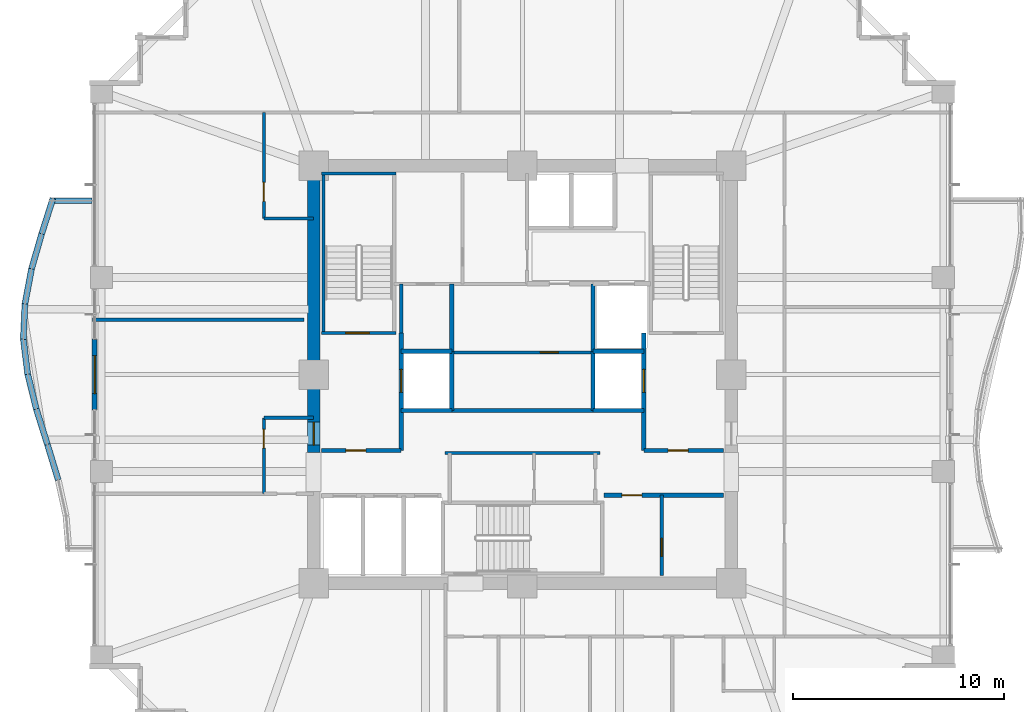
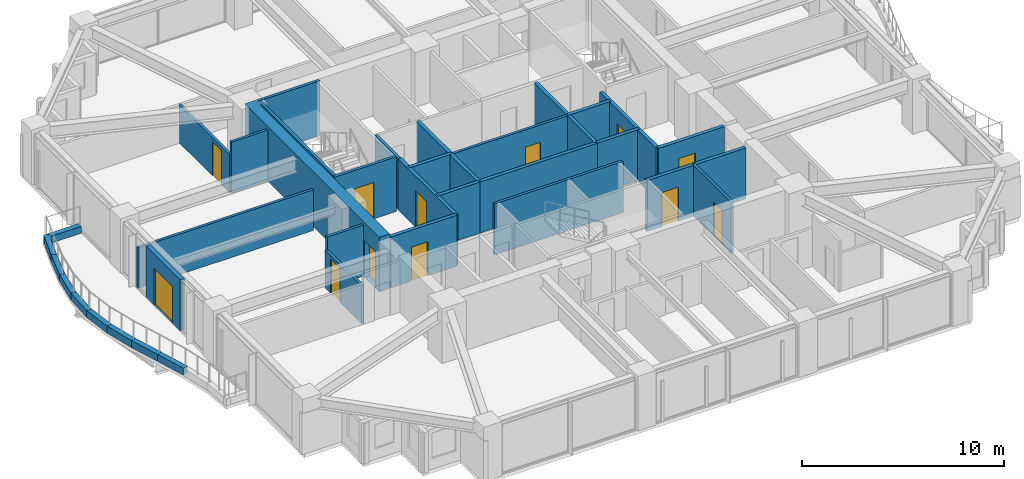
# One storey, part 31 of 36: 37 walls, 12 doors, 12 openings.
"""IFC4 building model written with IfcOpenShell, lengths in metres."""

from ifc_helpers import new_model, si_unit, direction, frame, frame_2d, origin, place, context, subcontext, project, spatial, rectangle, extrude, material, layer, layer_set, type_object, element, fill, save


model = new_model("IFC4")

# Units and contexts
model_context = context("Model", 3, precision=1e-05, world=origin(), true_north=direction((0.0, 1.0)))
body_context = subcontext(model_context, "Body", "Model", "MODEL_VIEW")
ifc_project = project(units=[si_unit("LENGTHUNIT", "METRE"), si_unit("AREAUNIT", "SQUARE_METRE"), si_unit("VOLUMEUNIT", "CUBIC_METRE"), si_unit("PLANEANGLEUNIT", "RADIAN"), si_unit("MASSUNIT", "GRAM", prefix="KILO")], contexts=[model_context])

# Site, building, storey
site_placement = place(None, origin())
site = spatial("IfcSite", under=ifc_project, at=site_placement, CompositionType="ELEMENT")
building_placement = place(site_placement, origin())
building = spatial("IfcBuilding", under=site, at=building_placement, Name="Kolvaren Belvedere", CompositionType="ELEMENT")
storey_placement = place(building_placement, frame((0.0, 0.0, 92.0)))
storey = spatial("IfcBuildingStorey", under=building, at=storey_placement, Name="L26", CompositionType="ELEMENT", Elevation=92.0)

# Wall, opening, door
ifc_material_1 = material(Name="Concrete C60/75", Category="concrete")
ifc_layer_1 = layer(ifc_material_1, 0.60009765625)
ifc_layer_set_1 = layer_set([ifc_layer_1], Name="Concrete C60/75")
wall_type_1 = type_object("IfcWallType", Name="CW-CORE-600", PredefinedType="SHEAR", material=ifc_layer_set_1)
wall_1_placement = place(storey_placement, frame((-9.89990234375, -3.699951171875, 0.0), z_axis=(0.0, 0.0, 1.0), x_axis=(0.0, 1.0, 0.0)))
wall_1 = element("IfcWall", 1, at=wall_1_placement, inside=storey, type_object=wall_type_1, Name="L26 West Core Shear Wall 2", PredefinedType="SHEAR", context=body_context, shape_type="SweptSolid", body=[
    extrude(rectangle(XDim=13.300048828125, YDim=0.60009765625, at=frame_2d((6.64990234375, 0.0))), origin(), (0.0, 0.0, 1.0), 3.300048828125),
])
opening_1_placement = place(wall_1_placement, frame((0.35009765625, 0.0, 0.0)))
opening_1 = element("IfcOpeningElement", 2, at=opening_1_placement, cuts=wall_1, Name="Opening D-FD90", PredefinedType="OPENING", context=body_context, shape_type="SweptSolid", body=[
    extrude(rectangle(XDim=1.10009765625, YDim=2.199951171875, at=frame_2d((0.550048828125, 1.10009765625))), frame((0.0, 0.31005859375, 0.0), z_axis=(0.0, -1.0, 0.0), x_axis=(1.0, 0.0, 0.0)), (0.0, 0.0, 1.0), 0.6201171875),
])
ifc_material_2 = material(Name="Painted hollow stainless steel", Category="steel")
door_type_1 = type_object("IfcDoorType", Name="DR-FD90-1100", OperationType="NOTDEFINED", PredefinedType="DOOR", material=ifc_material_2)
door_1_placement = place(opening_1_placement, origin())
door_1 = element("IfcDoor", 3, at=door_1_placement, inside=storey, type_object=door_type_1, Name="L26 West Firefighting Lobby Fire Door", OperationType="SINGLE_SWING_LEFT", OverallHeight=2.199951171875, OverallWidth=1.10009765625, PredefinedType="DOOR", context=body_context, shape_type="SweptSolid", body=[
    extrude(rectangle(XDim=1.10009765625, YDim=2.199951171875, at=frame_2d((0.550048828125, 1.10009765625))), frame((0.0, 0.02490234375, 0.0), z_axis=(0.0, -1.0, 0.0), x_axis=(1.0, 0.0, 0.0)), (0.0, 0.0, 1.0), 0.050048828125),
])
fill(opening_1, door_1)

ifc_material_3 = material(Name="Concrete C50/60", Category="concrete")
ifc_layer_2 = layer(ifc_material_3, 0.159912109375)
ifc_layer_set_2 = layer_set([ifc_layer_2], Name="Concrete C50/60")
wall_type_2 = type_object("IfcWallType", Name="CW-STAIR-160", PredefinedType="SHEAR", material=ifc_layer_set_2)
wall_2_placement = place(storey_placement, frame((-9.52001953125, 1.969970703125, 0.0), z_axis=(0.0, 0.0, 1.0), x_axis=(1.0, 0.0, 0.0)))
wall_2 = element("IfcWall", 4, at=wall_2_placement, inside=storey, type_object=wall_type_2, Name="L26 Stair ST-1 South Shear Wall", PredefinedType="SHEAR", context=body_context, shape_type="SweptSolid", body=[
    extrude(rectangle(XDim=3.52001953125, YDim=0.159912109375, at=frame_2d((1.760009765625, 0.0))), origin(), (0.0, 0.0, 1.0), 3.300048828125),
])
opening_2_placement = place(wall_2_placement, frame((1.14990234375, 0.0, 0.0)))
opening_2 = element("IfcOpeningElement", 5, at=opening_2_placement, cuts=wall_2, Name="Opening D-FD90", PredefinedType="OPENING", context=body_context, shape_type="SweptSolid", body=[
    extrude(rectangle(XDim=1.10009765625, YDim=2.199951171875, at=frame_2d((0.550048828125, 1.10009765625))), frame((0.0, 0.08984375, 0.0), z_axis=(0.0, -1.0, 0.0), x_axis=(1.0, 0.0, 0.0)), (0.0, 0.0, 1.0), 0.179931640625),
])
door_2_placement = place(opening_2_placement, origin())
door_2 = element("IfcDoor", 6, at=door_2_placement, inside=storey, type_object=door_type_1, Name="L26 Stair ST-1 Fire Door", OperationType="SINGLE_SWING_LEFT", OverallHeight=2.199951171875, OverallWidth=1.10009765625, PredefinedType="DOOR", context=body_context, shape_type="SweptSolid", body=[
    extrude(rectangle(XDim=1.10009765625, YDim=2.199951171875, at=frame_2d((0.550048828125, 1.10009765625))), frame((0.0, 0.02490234375, 0.0), z_axis=(0.0, -1.0, 0.0), x_axis=(1.0, 0.0, 0.0)), (0.0, 0.0, 1.0), 0.050048828125),
])
fill(opening_2, door_2)

# Walls
wall_3_placement = place(storey_placement, frame((-9.52001953125, 9.530029296875, 0.0), z_axis=(0.0, 0.0, 1.0), x_axis=(1.0, 0.0, 0.0)))
element("IfcWall", 7, at=wall_3_placement, inside=storey, type_object=wall_type_2, Name="L26 Stair ST-1 North Shear Wall", PredefinedType="SHEAR", context=body_context, shape_type="SweptSolid", body=[
    extrude(rectangle(XDim=3.52001953125, YDim=0.159912109375, at=frame_2d((1.760009765625, 0.0))), origin(), (0.0, 0.0, 1.0), 3.300048828125),
])
wall_4_placement = place(storey_placement, frame((-9.429931640625, 1.969970703125, 0.0), z_axis=(0.0, 0.0, 1.0), x_axis=(0.0, 1.0, 0.0)))
element("IfcWall", 8, at=wall_4_placement, inside=storey, type_object=wall_type_2, Name="L26 Stair ST-1 West Shear Wall", PredefinedType="SHEAR", context=body_context, shape_type="SweptSolid", body=[
    extrude(rectangle(XDim=7.56005859375, YDim=0.159912109375, at=frame_2d((3.780029296875, 0.0))), origin(), (0.0, 0.0, 1.0), 3.300048828125),
])

# Wall, opening, door
ifc_material_4 = material(Name="Gypsum fire-rated partition assembly", Category="gypsum")
ifc_layer_3 = layer(ifc_material_4, 0.14990234375)
ifc_layer_set_3 = layer_set([ifc_layer_3], Name="Gypsum fire-rated partition assembly")
wall_type_3 = type_object("IfcWallType", Name="WL-CORR-150", PredefinedType="PARTITIONING", material=ifc_layer_set_3)
wall_5_placement = place(storey_placement, frame((-12.260009765625, 7.39990234375, 0.0), z_axis=(0.0, 0.0, 1.0), x_axis=(0.0, 1.0, 0.0)))
wall_5 = element("IfcWall", 9, at=wall_5_placement, inside=storey, type_object=wall_type_3, Name="L26 NW Corridor End Wall", PredefinedType="PARTITIONING", context=body_context, shape_type="SweptSolid", body=[
    extrude(rectangle(XDim=5.02001953125, YDim=0.14990234375, at=frame_2d((2.510009765625, 0.0))), origin(), (0.0, 0.0, 1.0), 2.2919921875),
])
opening_3_placement = place(wall_5_placement, frame((0.81103515625, 0.0, 0.0)))
opening_3 = element("IfcOpeningElement", 10, at=opening_3_placement, cuts=wall_5, Name="Opening D-INT90", PredefinedType="OPENING", context=body_context, shape_type="SweptSolid", body=[
    extrude(rectangle(XDim=0.89990234375, YDim=2.06005859375, at=frame_2d((0.449951171875, 1.030029296875))), frame((0.0, 0.0849609375, 0.0), z_axis=(0.0, -1.0, 0.0), x_axis=(1.0, 0.0, 0.0)), (0.0, 0.0, 1.0), 0.169921875),
])
ifc_material_5 = material(Name="Stained Pacific white oak", Category="timber")
door_type_2 = type_object("IfcDoorType", Name="DR-INT-900", OperationType="NOTDEFINED", PredefinedType="DOOR", material=ifc_material_5)
door_3_placement = place(opening_3_placement, origin())
door_3 = element("IfcDoor", 11, at=door_3_placement, inside=storey, type_object=door_type_2, Name="L26 Private Hospitality Meeting Room 2605 Door", OperationType="SINGLE_SWING_RIGHT", OverallHeight=2.06005859375, OverallWidth=0.89990234375, PredefinedType="DOOR", context=body_context, shape_type="SweptSolid", body=[
    extrude(rectangle(XDim=0.89990234375, YDim=2.06005859375, at=frame_2d((0.449951171875, 1.030029296875))), frame((0.0, 0.02490234375, 0.0), z_axis=(0.0, -1.0, 0.0), x_axis=(1.0, 0.0, 0.0)), (0.0, 0.0, 1.0), 0.050048828125),
])
fill(opening_3, door_3)

# Wall
wall_6_placement = place(storey_placement, frame((-12.260009765625, 7.39990234375, 0.0), z_axis=(0.0, 0.0, 1.0), x_axis=(1.0, 0.0, 0.0)))
element("IfcWall", 12, at=wall_6_placement, inside=storey, type_object=wall_type_3, Name="L26 NW Core Closure Wall", PredefinedType="PARTITIONING", context=body_context, shape_type="SweptSolid", body=[
    extrude(rectangle(XDim=2.360107421875, YDim=0.14990234375, at=frame_2d((1.18017578125, 0.0))), origin(), (0.0, 0.0, 1.0), 3.080078125),
])

# Wall, opening, door
wall_7_placement = place(storey_placement, frame((-12.260009765625, -5.64990234375, 0.0), z_axis=(0.0, 0.0, 1.0), x_axis=(0.0, 1.0, 0.0)))
wall_7 = element("IfcWall", 13, at=wall_7_placement, inside=storey, type_object=wall_type_3, Name="L26 West FSAE Pocket Wall", PredefinedType="PARTITIONING", context=body_context, shape_type="SweptSolid", body=[
    extrude(rectangle(XDim=3.599853515625, YDim=0.14990234375, at=frame_2d((1.7998046875, 0.0))), origin(), (0.0, 0.0, 1.0), 2.2919921875),
])
opening_4_placement = place(wall_7_placement, frame((2.15625, 0.0, 0.0)))
opening_4 = element("IfcOpeningElement", 14, at=opening_4_placement, cuts=wall_7, Name="Opening D-INT90", PredefinedType="OPENING", context=body_context, shape_type="SweptSolid", body=[
    extrude(rectangle(XDim=0.89990234375, YDim=2.06005859375, at=frame_2d((0.449951171875, 1.030029296875))), frame((0.0, 0.0849609375, 0.0), z_axis=(0.0, -1.0, 0.0), x_axis=(1.0, 0.0, 0.0)), (0.0, 0.0, 1.0), 0.169921875),
])
door_4_placement = place(opening_4_placement, origin())
door_4 = element("IfcDoor", 15, at=door_4_placement, inside=storey, type_object=door_type_2, Name="L26 Botanical Reading Salon 2606 Door", OperationType="SINGLE_SWING_LEFT", OverallHeight=2.06005859375, OverallWidth=0.89990234375, PredefinedType="DOOR", context=body_context, shape_type="SweptSolid", body=[
    extrude(rectangle(XDim=0.89990234375, YDim=2.06005859375, at=frame_2d((0.449951171875, 1.030029296875))), frame((0.0, 0.02490234375, 0.0), z_axis=(0.0, -1.0, 0.0), x_axis=(1.0, 0.0, 0.0)), (0.0, 0.0, 1.0), 0.050048828125),
])
fill(opening_4, door_4)

# Wall
wall_8_placement = place(storey_placement, frame((-12.260009765625, -2.050048828125, 0.0), z_axis=(0.0, 0.0, 1.0), x_axis=(1.0, 0.0, 0.0)))
element("IfcWall", 16, at=wall_8_placement, inside=storey, type_object=wall_type_3, Name="L26 West Pocket North Closure Wall", PredefinedType="PARTITIONING", context=body_context, shape_type="SweptSolid", body=[
    extrude(rectangle(XDim=2.360107421875, YDim=0.14990234375, at=frame_2d((1.18017578125, 0.0))), origin(), (0.0, 0.0, 1.0), 3.080078125),
])

# Wall, opening, door
ifc_material_6 = material(Name="Insulated pale-metal facade wall assembly", Category="aluminium")
ifc_layer_4 = layer(ifc_material_6, 0.239990234375)
ifc_layer_set_4 = layer_set([ifc_layer_4], Name="Insulated pale-metal facade wall assembly")
wall_type_4 = type_object("IfcWallType", Name="WL-EXT-240", PredefinedType="STANDARD", material=ifc_layer_set_4)
wall_9_placement = place(storey_placement, frame((-20.280029296875, -1.679931640625, 0.0), z_axis=(0.0, 0.0, 1.0), x_axis=(0.0, 1.0, 0.0)))
wall_9 = element("IfcWall", 17, at=wall_9_placement, inside=storey, type_object=wall_type_4, Name="L26 West Terrace Portal Wall", PredefinedType="STANDARD", context=body_context, shape_type="SweptSolid", body=[
    extrude(rectangle(XDim=3.35986328125, YDim=0.239990234375, at=frame_2d((1.679931640625, 0.0))), origin(), (0.0, 0.0, 1.0), 3.080078125),
])
opening_5_placement = place(wall_9_placement, frame((0.780029296875, 0.0, 0.0)))
opening_5 = element("IfcOpeningElement", 18, at=opening_5_placement, cuts=wall_9, Name="Opening DB-1800", PredefinedType="OPENING", context=body_context, shape_type="SweptSolid", body=[
    extrude(rectangle(XDim=1.800048828125, YDim=2.199951171875, at=frame_2d((0.89990234375, 1.10009765625))), frame((0.0, 0.1298828125, 0.0), z_axis=(0.0, -1.0, 0.0), x_axis=(1.0, 0.0, 0.0)), (0.0, 0.0, 1.0), 0.260009765625),
])
ifc_material_7 = material(Name="Thermally broken pale-metal aluminium & low-iron glass", Category="aluminium")
door_type_3 = type_object("IfcDoorType", Name="DR-BAL-1800", OperationType="DOUBLE_DOOR_SLIDING", PredefinedType="DOOR", material=ifc_material_7)
door_5_placement = place(opening_5_placement, origin())
door_5 = element("IfcDoor", 19, at=door_5_placement, inside=storey, type_object=door_type_3, Name="L26 West Planted Terrace Sliding Door", OperationType="DOUBLE_DOOR_SLIDING", OverallHeight=2.199951171875, OverallWidth=1.800048828125, PredefinedType="DOOR", context=body_context, shape_type="SweptSolid", body=[
    extrude(rectangle(XDim=1.800048828125, YDim=2.199951171875, at=frame_2d((0.89990234375, 1.10009765625))), frame((0.0, 0.02490234375, 0.0), z_axis=(0.0, -1.0, 0.0), x_axis=(1.0, 0.0, 0.0)), (0.0, 0.0, 1.0), 0.050048828125),
])
fill(opening_5, door_5)

ifc_material_8 = material(Name="Gypsum acoustic partition assembly", Category="gypsum")
ifc_layer_5 = layer(ifc_material_8, 0.14990234375)
ifc_layer_set_5 = layer_set([ifc_layer_5], Name="Gypsum acoustic partition assembly")
wall_type_5 = type_object("IfcWallType", Name="WL-PART-150", PredefinedType="PARTITIONING", material=ifc_layer_set_5)
wall_10_placement = place(storey_placement, frame((6.60009765625, -9.52001953125, 0.0), z_axis=(0.0, 0.0, 1.0), x_axis=(0.0, 1.0, 0.0)))
wall_10 = element("IfcWall", 20, at=wall_10_placement, inside=storey, type_object=wall_type_5, Name="L26 SE Core Divider", PredefinedType="PARTITIONING", context=body_context, shape_type="SweptSolid", body=[
    extrude(rectangle(XDim=3.800048828125, YDim=0.14990234375, at=frame_2d((1.89990234375, 0.0))), origin(), (0.0, 0.0, 1.0), 3.080078125),
])
opening_6_placement = place(wall_10_placement, frame((0.89990234375, 0.0, 0.0)))
opening_6 = element("IfcOpeningElement", 21, at=opening_6_placement, cuts=wall_10, Name="Opening D-INT85", PredefinedType="OPENING", context=body_context, shape_type="SweptSolid", body=[
    extrude(rectangle(XDim=0.85009765625, YDim=2.030029296875, at=frame_2d((0.425048828125, 1.01513671875))), frame((0.0, 0.0849609375, 0.0), z_axis=(0.0, -1.0, 0.0), x_axis=(1.0, 0.0, 0.0)), (0.0, 0.0, 1.0), 0.169921875),
])
ifc_material_9 = material(Name="Stained Pacific white oak", Category="timber")
door_type_4 = type_object("IfcDoorType", Name="DR-INT-850", OperationType="NOTDEFINED", PredefinedType="DOOR", material=ifc_material_9)
door_6_placement = place(opening_6_placement, origin())
door_6 = element("IfcDoor", 22, at=door_6_placement, inside=storey, type_object=door_type_4, Name="L26 SE Switchboard Door", OperationType="SINGLE_SWING_LEFT", OverallHeight=2.030029296875, OverallWidth=0.85009765625, PredefinedType="DOOR", context=body_context, shape_type="SweptSolid", body=[
    extrude(rectangle(XDim=0.85009765625, YDim=2.030029296875, at=frame_2d((0.425048828125, 1.01513671875))), frame((0.0, 0.02490234375, 0.0), z_axis=(0.0, -1.0, 0.0), x_axis=(1.0, 0.0, 0.0)), (0.0, 0.0, 1.0), 0.050048828125),
])
fill(opening_6, door_6)

wall_11_placement = place(storey_placement, frame((-3.35009765625, 1.050048828125, 0.0), z_axis=(0.0, 0.0, 1.0), x_axis=(1.0, 0.0, 0.0)))
wall_11 = element("IfcWall", 23, at=wall_11_placement, inside=storey, type_object=wall_type_5, Name="L26 Central Core H-Divider", PredefinedType="PARTITIONING", context=body_context, shape_type="SweptSolid", body=[
    extrude(rectangle(XDim=6.7001953125, YDim=0.14990234375, at=frame_2d((3.35009765625, 0.0))), origin(), (0.0, 0.0, 1.0), 3.080078125),
])
opening_7_placement = place(wall_11_placement, frame((4.199951171875, 0.0, 0.0)))
opening_7 = element("IfcOpeningElement", 24, at=opening_7_placement, cuts=wall_11, Name="Opening D-INT85", PredefinedType="OPENING", context=body_context, shape_type="SweptSolid", body=[
    extrude(rectangle(XDim=0.85009765625, YDim=2.030029296875, at=frame_2d((0.425048828125, 1.01513671875))), frame((0.0, 0.0849609375, 0.0), z_axis=(0.0, -1.0, 0.0), x_axis=(1.0, 0.0, 0.0)), (0.0, 0.0, 1.0), 0.169921875),
])
door_7_placement = place(opening_7_placement, origin())
door_7 = element("IfcDoor", 25, at=door_7_placement, inside=storey, type_object=door_type_4, Name="L26 Central Archive Door", OperationType="SINGLE_SWING_LEFT", OverallHeight=2.030029296875, OverallWidth=0.85009765625, PredefinedType="DOOR", context=body_context, shape_type="SweptSolid", body=[
    extrude(rectangle(XDim=0.85009765625, YDim=2.030029296875, at=frame_2d((0.425048828125, 1.01513671875))), frame((0.0, 0.02490234375, 0.0), z_axis=(0.0, -1.0, 0.0), x_axis=(1.0, 0.0, 0.0)), (0.0, 0.0, 1.0), 0.050048828125),
])
fill(opening_7, door_7)

# Walls
wall_12_placement = place(storey_placement, frame((-3.679931640625, -3.719970703125, 0.0), z_axis=(0.0, 0.0, 1.0), x_axis=(1.0, 0.0, 0.0)))
element("IfcWall", 26, at=wall_12_placement, inside=storey, type_object=wall_type_5, Name="L26 South Core Service North Wall", PredefinedType="PARTITIONING", context=body_context, shape_type="SweptSolid", body=[
    extrude(rectangle(XDim=7.35986328125, YDim=0.14990234375, at=frame_2d((3.679931640625, 0.0))), origin(), (0.0, 0.0, 1.0), 3.080078125),
])
wall_13_placement = place(storey_placement, frame((-5.75, 1.969970703125, 0.0), z_axis=(0.0, 0.0, 1.0), x_axis=(0.0, 1.0, 0.0)))
element("IfcWall", 27, at=wall_13_placement, inside=storey, type_object=wall_type_5, Name="L26 NW Service Room West Wall", PredefinedType="PARTITIONING", context=body_context, shape_type="SweptSolid", body=[
    extrude(rectangle(XDim=2.330078125, YDim=0.14990234375, at=frame_2d((1.1650390625, 0.0))), origin(), (0.0, 0.0, 1.0), 3.080078125),
])
wall_14_placement = place(storey_placement, frame((-20.3798828125, 2.60009765625, 0.0), z_axis=(0.0, 0.0, 1.0), x_axis=(1.0, 0.0, 0.0)))
element("IfcWall", 28, at=wall_14_placement, inside=storey, type_object=wall_type_5, Name="L26 West Upper Suite Divider", PredefinedType="PARTITIONING", context=body_context, shape_type="SweptSolid", body=[
    extrude(rectangle(XDim=10.019775390625, YDim=0.14990234375, at=frame_2d((5.009765625, 0.0))), origin(), (0.0, 0.0, 1.0), 2.448974609375),
])
ifc_material_10 = material(Name="Precast concrete C40/50", Category="concrete")
ifc_layer_6 = layer(ifc_material_10, 0.300048828125)
ifc_layer_set_6 = layer_set([ifc_layer_6], Name="Precast concrete C40/50")
wall_type_6 = type_object("IfcWallType", Name="WL-PLANTER-300", PredefinedType="PARAPET", material=ifc_layer_set_6)
wall_15_placement = place(storey_placement, frame((-22.25390625, 8.351318359375, -0.0400390625), z_axis=(0.0, 0.0, 1.0), x_axis=(-0.304032153573, -0.952661770826, 0.0)))
element("IfcWall", 29, at=wall_15_placement, inside=storey, type_object=wall_type_6, Name="L26 Precast Structural Planter Wall BAL-W-1", PredefinedType="PARAPET", context=body_context, shape_type="SweptSolid", body=[
    extrude(rectangle(XDim=1.763427734375, YDim=0.280029296875, at=frame_2d((0.8818359375, 0.0))), origin(), (0.0, 0.0, 1.0), 0.419921875),
])
wall_16_placement = place(storey_placement, frame((-22.788818359375, 6.675537109375, -0.0400390625), z_axis=(0.0, 0.0, 1.0), x_axis=(-0.277817391164, -0.960633903819, 0.0)))
element("IfcWall", 30, at=wall_16_placement, inside=storey, type_object=wall_type_6, Name="L26 Precast Structural Planter Wall BAL-W-2", PredefinedType="PARAPET", context=body_context, shape_type="SweptSolid", body=[
    extrude(rectangle(XDim=1.748779296875, YDim=0.280029296875, at=frame_2d((0.87451171875, 0.0))), origin(), (0.0, 0.0, 1.0), 0.419921875),
])
wall_17_placement = place(storey_placement, frame((-23.271240234375, 5.010498046875, -0.0400390625), z_axis=(0.0, 0.0, 1.0), x_axis=(-0.184650661912, -0.982804219087, 0.0)))
element("IfcWall", 31, at=wall_17_placement, inside=storey, type_object=wall_type_6, Name="L26 Precast Structural Planter Wall BAL-W-3", PredefinedType="PARAPET", context=body_context, shape_type="SweptSolid", body=[
    extrude(rectangle(XDim=1.70947265625, YDim=0.280029296875, at=frame_2d((0.854736328125, 0.0))), origin(), (0.0, 0.0, 1.0), 0.419921875),
])
wall_18_placement = place(storey_placement, frame((-23.58447265625, 3.352783203125, -0.0400390625), z_axis=(0.0, 0.0, 1.0), x_axis=(-0.045005941428, -0.998986719249, 0.0)))
element("IfcWall", 32, at=wall_18_placement, inside=storey, type_object=wall_type_6, Name="L26 Precast Structural Planter Wall BAL-W-4", PredefinedType="PARAPET", context=body_context, shape_type="SweptSolid", body=[
    extrude(rectangle(XDim=1.681640625, YDim=0.280029296875, at=frame_2d((0.8408203125, 0.0))), origin(), (0.0, 0.0, 1.0), 0.419921875),
])
wall_19_placement = place(storey_placement, frame((-23.6611328125, 1.699462890625, -0.0400390625), z_axis=(0.0, 0.0, 1.0), x_axis=(0.121886315522, -0.99254406758, 0.0)))
element("IfcWall", 33, at=wall_19_placement, inside=storey, type_object=wall_type_6, Name="L26 Precast Structural Planter Wall BAL-W-5", PredefinedType="PARAPET", context=body_context, shape_type="SweptSolid", body=[
    extrude(rectangle(XDim=1.692626953125, YDim=0.280029296875, at=frame_2d((0.84619140625, 0.0))), origin(), (0.0, 0.0, 1.0), 0.419921875),
])
wall_20_placement = place(storey_placement, frame((-23.458251953125, 0.038330078125, -0.0400390625), z_axis=(0.0, 0.0, 1.0), x_axis=(0.239180748277, -0.970975061293, 0.0)))
element("IfcWall", 34, at=wall_20_placement, inside=storey, type_object=wall_type_6, Name="L26 Precast Structural Planter Wall BAL-W-6", PredefinedType="PARAPET", context=body_context, shape_type="SweptSolid", body=[
    extrude(rectangle(XDim=1.730224609375, YDim=0.280029296875, at=frame_2d((0.865234375, 0.0))), origin(), (0.0, 0.0, 1.0), 0.419921875),
])
wall_21_placement = place(storey_placement, frame((-23.047119140625, -1.632080078125, -0.0400390625), z_axis=(0.0, 0.0, 1.0), x_axis=(0.299624691176, -0.954057149461, 0.0)))
element("IfcWall", 35, at=wall_21_placement, inside=storey, type_object=wall_type_6, Name="L26 Precast Structural Planter Wall BAL-W-7", PredefinedType="PARAPET", context=body_context, shape_type="SweptSolid", body=[
    extrude(rectangle(XDim=1.7607421875, YDim=0.280029296875, at=frame_2d((0.88037109375, 0.0))), origin(), (0.0, 0.0, 1.0), 0.419921875),
])
wall_22_placement = place(storey_placement, frame((-22.51904296875, -3.3134765625, -0.0400390625), z_axis=(0.0, 0.0, 1.0), x_axis=(0.290879426191, -0.956759718748, 0.0)))
element("IfcWall", 36, at=wall_22_placement, inside=storey, type_object=wall_type_6, Name="L26 Precast Structural Planter Wall BAL-W-8", PredefinedType="PARAPET", context=body_context, shape_type="SweptSolid", body=[
    extrude(rectangle(XDim=1.755859375, YDim=0.280029296875, at=frame_2d((0.8779296875, 0.0))), origin(), (0.0, 0.0, 1.0), 0.419921875),
])
wall_23_placement = place(storey_placement, frame((-20.39990234375, 8.239990234375, -0.0400390625), z_axis=(0.0, 0.0, 1.0), x_axis=(-1.0, 0.0, 0.0)))
element("IfcWall", 37, at=wall_23_placement, inside=storey, type_object=wall_type_6, Name="L26 Precast Structural Planter Wall BAL-W-22", PredefinedType="PARAPET", context=body_context, shape_type="SweptSolid", body=[
    extrude(rectangle(XDim=2.00634765625, YDim=0.280029296875, at=frame_2d((1.003173828125, 0.0))), origin(), (0.0, 0.0, 1.0), 0.419921875),
])

# Wall, opening, door
ifc_material_11 = material(Name="Concrete C50/60", Category="concrete")
ifc_layer_7 = layer(ifc_material_11, 0.199951171875)
ifc_layer_set_7 = layer_set([ifc_layer_7], Name="Concrete C50/60")
wall_type_7 = type_object("IfcWallType", Name="WL-SHAFT-200", PredefinedType="SOLIDWALL", material=ifc_layer_set_7)
wall_24_placement = place(storey_placement, frame((-9.52001953125, -3.60009765625, 0.0), z_axis=(0.0, 0.0, 1.0), x_axis=(1.0, 0.0, 0.0)))
wall_24 = element("IfcWall", 38, at=wall_24_placement, inside=storey, type_object=wall_type_7, Name="L26 West FSAE Lobby South Wall", PredefinedType="SOLIDWALL", context=body_context, shape_type="SweptSolid", body=[
    extrude(rectangle(XDim=3.77001953125, YDim=0.199951171875, at=frame_2d((1.885009765625, 0.0))), origin(), (0.0, 0.0, 1.0), 3.080078125),
])
opening_8_placement = place(wall_24_placement, frame((1.14990234375, 0.0, 0.0)))
opening_8 = element("IfcOpeningElement", 39, at=opening_8_placement, cuts=wall_24, Name="Opening D-FD60", PredefinedType="OPENING", context=body_context, shape_type="SweptSolid", body=[
    extrude(rectangle(XDim=0.949951171875, YDim=2.06005859375, at=frame_2d((0.47509765625, 1.030029296875))), frame((0.0, 0.10986328125, 0.0), z_axis=(0.0, -1.0, 0.0), x_axis=(1.0, 0.0, 0.0)), (0.0, 0.0, 1.0), 0.219970703125),
])
ifc_material_12 = material(Name="Acoustic white-oak fire door leaf", Category="timber")
door_type_5 = type_object("IfcDoorType", Name="DR-FD60-950", OperationType="NOTDEFINED", PredefinedType="DOOR", material=ifc_material_12)
door_8_placement = place(opening_8_placement, origin())
door_8 = element("IfcDoor", 40, at=door_8_placement, inside=storey, type_object=door_type_5, Name="L26 Mid-Rise Lift Lobby Fire Door", OperationType="SINGLE_SWING_LEFT", OverallHeight=2.06005859375, OverallWidth=0.949951171875, PredefinedType="DOOR", context=body_context, shape_type="SweptSolid", body=[
    extrude(rectangle(XDim=0.949951171875, YDim=2.06005859375, at=frame_2d((0.47509765625, 1.030029296875))), frame((0.0, 0.02490234375, 0.0), z_axis=(0.0, -1.0, 0.0), x_axis=(1.0, 0.0, 0.0)), (0.0, 0.0, 1.0), 0.050048828125),
])
fill(opening_8, door_8)

wall_25_placement = place(storey_placement, frame((-5.75, -3.60009765625, 0.0), z_axis=(0.0, 0.0, 1.0), x_axis=(0.0, 1.0, 0.0)))
wall_25 = element("IfcWall", 41, at=wall_25_placement, inside=storey, type_object=wall_type_7, Name="L26 FSAE FS1 Landing Wall", PredefinedType="SOLIDWALL", context=body_context, shape_type="SweptSolid", body=[
    extrude(rectangle(XDim=5.570068359375, YDim=0.199951171875, at=frame_2d((2.78515625, 0.0))), origin(), (0.0, 0.0, 1.0), 3.080078125),
])
opening_9_placement = place(wall_25_placement, frame((2.75, 0.0, 0.0)))
opening_9 = element("IfcOpeningElement", 42, at=opening_9_placement, cuts=wall_25, Name="Opening LD-11", PredefinedType="OPENING", context=body_context, shape_type="SweptSolid", body=[
    extrude(rectangle(XDim=1.10009765625, YDim=2.199951171875, at=frame_2d((0.550048828125, 1.10009765625))), frame((0.0, 0.10986328125, 0.0), z_axis=(0.0, -1.0, 0.0), x_axis=(1.0, 0.0, 0.0)), (0.0, 0.0, 1.0), 0.219970703125),
])
ifc_material_13 = material(Name="Brushed stainless steel", Category="steel")
door_type_6 = type_object("IfcDoorType", Name="DR-LIFT-1100", OperationType="DOUBLE_DOOR_SLIDING", PredefinedType="DOOR", material=ifc_material_13)
door_9_placement = place(opening_9_placement, origin())
door_9 = element("IfcDoor", 43, at=door_9_placement, inside=storey, type_object=door_type_6, Name="L26 Firefighting Lift FS1 Landing Door", OperationType="DOUBLE_DOOR_SLIDING", OverallHeight=2.199951171875, OverallWidth=1.10009765625, PredefinedType="DOOR", context=body_context, shape_type="SweptSolid", body=[
    extrude(rectangle(XDim=1.10009765625, YDim=2.199951171875, at=frame_2d((0.550048828125, 1.10009765625))), frame((0.0, 0.02490234375, 0.0), z_axis=(0.0, -1.0, 0.0), x_axis=(1.0, 0.0, 0.0)), (0.0, 0.0, 1.0), 0.050048828125),
])
fill(opening_9, door_9)

# Walls
wall_26_placement = place(storey_placement, frame((-3.35009765625, -1.699951171875, 0.0), z_axis=(0.0, 0.0, 1.0), x_axis=(0.0, 1.0, 0.0)))
element("IfcWall", 44, at=wall_26_placement, inside=storey, type_object=wall_type_7, Name="L26 FSAE FS1 Back Wall", PredefinedType="SOLIDWALL", context=body_context, shape_type="SweptSolid", body=[
    extrude(rectangle(XDim=2.800048828125, YDim=0.199951171875, at=frame_2d((1.39990234375, 0.0))), origin(), (0.0, 0.0, 1.0), 3.080078125),
])
for number, where, z_axis, x_axis, name in (
    (45, (-5.75, -1.699951171875, 0.0), (0.0, 0.0, 1.0), (1.0, 0.0, 0.0), "L26 FSAE FS1 South Wall"),
    (46, (-5.75, 1.10009765625, 0.0), (0.0, 0.0, 1.0), (1.0, 0.0, 0.0), "L26 FSAE FS1 North Wall"),
):
    element("IfcWall", number, at=place(storey_placement, frame(where, z_axis=z_axis, x_axis=x_axis)), inside=storey, type_object=wall_type_7, Name=name, PredefinedType="SOLIDWALL", context=body_context, shape_type="SweptSolid", body=[
        extrude(rectangle(XDim=2.39990234375, YDim=0.199951171875, at=frame_2d((1.199951171875, 0.0))), origin(), (0.0, 0.0, 1.0), 3.080078125),
    ])

# Wall, opening, door
wall_27_placement = place(storey_placement, frame((5.75, -3.60009765625, 0.0), z_axis=(0.0, 0.0, 1.0), x_axis=(1.0, 0.0, 0.0)))
wall_27 = element("IfcWall", 47, at=wall_27_placement, inside=storey, type_object=wall_type_7, Name="L26 East FSAE Lobby South Wall", PredefinedType="SOLIDWALL", context=body_context, shape_type="SweptSolid", body=[
    extrude(rectangle(XDim=3.77001953125, YDim=0.199951171875, at=frame_2d((1.885009765625, 0.0))), origin(), (0.0, 0.0, 1.0), 3.080078125),
])
opening_10_placement = place(wall_27_placement, frame((1.14990234375, 0.0, 0.0)))
opening_10 = element("IfcOpeningElement", 48, at=opening_10_placement, cuts=wall_27, Name="Opening D-FD60", PredefinedType="OPENING", context=body_context, shape_type="SweptSolid", body=[
    extrude(rectangle(XDim=0.949951171875, YDim=2.06005859375, at=frame_2d((0.47509765625, 1.030029296875))), frame((0.0, 0.10986328125, 0.0), z_axis=(0.0, -1.0, 0.0), x_axis=(1.0, 0.0, 0.0)), (0.0, 0.0, 1.0), 0.219970703125),
])
door_10_placement = place(opening_10_placement, origin())
door_10 = element("IfcDoor", 49, at=door_10_placement, inside=storey, type_object=door_type_5, Name="L26 SE Lift Lobby Fire Door", OperationType="SINGLE_SWING_RIGHT", OverallHeight=2.06005859375, OverallWidth=0.949951171875, PredefinedType="DOOR", context=body_context, shape_type="SweptSolid", body=[
    extrude(rectangle(XDim=0.949951171875, YDim=2.06005859375, at=frame_2d((0.47509765625, 1.030029296875))), frame((0.0, 0.02490234375, 0.0), z_axis=(0.0, -1.0, 0.0), x_axis=(1.0, 0.0, 0.0)), (0.0, 0.0, 1.0), 0.050048828125),
])
fill(opening_10, door_10)

wall_28_placement = place(storey_placement, frame((5.75, -3.60009765625, 0.0), z_axis=(0.0, 0.0, 1.0), x_axis=(0.0, 1.0, 0.0)))
wall_28 = element("IfcWall", 50, at=wall_28_placement, inside=storey, type_object=wall_type_7, Name="L26 FSAE FS2 Landing Wall", PredefinedType="SOLIDWALL", context=body_context, shape_type="SweptSolid", body=[
    extrude(rectangle(XDim=5.570068359375, YDim=0.199951171875, at=frame_2d((2.78515625, 0.0))), origin(), (0.0, 0.0, 1.0), 3.080078125),
])
opening_11_placement = place(wall_28_placement, frame((2.75, 0.0, 0.0)))
opening_11 = element("IfcOpeningElement", 51, at=opening_11_placement, cuts=wall_28, Name="Opening LD-11", PredefinedType="OPENING", context=body_context, shape_type="SweptSolid", body=[
    extrude(rectangle(XDim=1.10009765625, YDim=2.199951171875, at=frame_2d((0.550048828125, 1.10009765625))), frame((0.0, 0.10986328125, 0.0), z_axis=(0.0, -1.0, 0.0), x_axis=(1.0, 0.0, 0.0)), (0.0, 0.0, 1.0), 0.219970703125),
])
door_11_placement = place(opening_11_placement, origin())
door_11 = element("IfcDoor", 52, at=door_11_placement, inside=storey, type_object=door_type_6, Name="L26 Firefighting Lift FS2 Landing Door", OperationType="DOUBLE_DOOR_SLIDING", OverallHeight=2.199951171875, OverallWidth=1.10009765625, PredefinedType="DOOR", context=body_context, shape_type="SweptSolid", body=[
    extrude(rectangle(XDim=1.10009765625, YDim=2.199951171875, at=frame_2d((0.550048828125, 1.10009765625))), frame((0.0, 0.02490234375, 0.0), z_axis=(0.0, -1.0, 0.0), x_axis=(1.0, 0.0, 0.0)), (0.0, 0.0, 1.0), 0.050048828125),
])
fill(opening_11, door_11)

# Walls
wall_29_placement = place(storey_placement, frame((3.35009765625, -1.699951171875, 0.0), z_axis=(0.0, 0.0, 1.0), x_axis=(0.0, 1.0, 0.0)))
element("IfcWall", 53, at=wall_29_placement, inside=storey, type_object=wall_type_7, Name="L26 FSAE FS2 Back Wall", PredefinedType="SOLIDWALL", context=body_context, shape_type="SweptSolid", body=[
    extrude(rectangle(XDim=2.800048828125, YDim=0.199951171875, at=frame_2d((1.39990234375, 0.0))), origin(), (0.0, 0.0, 1.0), 3.080078125),
])
for number, where, z_axis, x_axis, name in (
    (54, (3.35009765625, -1.699951171875, 0.0), (0.0, 0.0, 1.0), (1.0, 0.0, 0.0), "L26 FSAE FS2 South Wall"),
    (55, (3.35009765625, 1.10009765625, 0.0), (0.0, 0.0, 1.0), (1.0, 0.0, 0.0), "L26 FSAE FS2 North Wall"),
):
    element("IfcWall", number, at=place(storey_placement, frame(where, z_axis=z_axis, x_axis=x_axis)), inside=storey, type_object=wall_type_7, Name=name, PredefinedType="SOLIDWALL", context=body_context, shape_type="SweptSolid", body=[
        extrude(rectangle(XDim=2.39990234375, YDim=0.199951171875, at=frame_2d((1.199951171875, 0.0))), origin(), (0.0, 0.0, 1.0), 3.080078125),
    ])

# Wall, opening, door
wall_30_placement = place(storey_placement, frame((3.860107421875, -5.719970703125, 0.0), z_axis=(0.0, 0.0, 1.0), x_axis=(1.0, 0.0, 0.0)))
wall_30 = element("IfcWall", 56, at=wall_30_placement, inside=storey, type_object=wall_type_7, Name="L26 SE Core Distribution Wall", PredefinedType="SOLIDWALL", context=body_context, shape_type="SweptSolid", body=[
    extrude(rectangle(XDim=5.659912109375, YDim=0.199951171875, at=frame_2d((2.830078125, 0.0))), origin(), (0.0, 0.0, 1.0), 3.080078125),
])
opening_12_placement = place(wall_30_placement, frame((0.85009765625, 0.0, 0.0)))
opening_12 = element("IfcOpeningElement", 57, at=opening_12_placement, cuts=wall_30, Name="Opening D-FD60", PredefinedType="OPENING", context=body_context, shape_type="SweptSolid", body=[
    extrude(rectangle(XDim=0.949951171875, YDim=2.06005859375, at=frame_2d((0.47509765625, 1.030029296875))), frame((0.0, 0.10986328125, 0.0), z_axis=(0.0, -1.0, 0.0), x_axis=(1.0, 0.0, 0.0)), (0.0, 0.0, 1.0), 0.219970703125),
])
door_12_placement = place(opening_12_placement, origin())
door_12 = element("IfcDoor", 58, at=door_12_placement, inside=storey, type_object=door_type_5, Name="L26 SE Telecom Door", OperationType="SINGLE_SWING_RIGHT", OverallHeight=2.06005859375, OverallWidth=0.949951171875, PredefinedType="DOOR", context=body_context, shape_type="SweptSolid", body=[
    extrude(rectangle(XDim=0.949951171875, YDim=2.06005859375, at=frame_2d((0.47509765625, 1.030029296875))), frame((0.0, 0.02490234375, 0.0), z_axis=(0.0, -1.0, 0.0), x_axis=(1.0, 0.0, 0.0)), (0.0, 0.0, 1.0), 0.050048828125),
])
fill(opening_12, door_12)

# Walls
wall_31_placement = place(storey_placement, frame((-3.35009765625, -1.699951171875, 0.0), z_axis=(0.0, 0.0, 1.0), x_axis=(1.0, 0.0, 0.0)))
element("IfcWall", 59, at=wall_31_placement, inside=storey, type_object=wall_type_7, Name="L26 Central Core Room South Wall", PredefinedType="SOLIDWALL", context=body_context, shape_type="SweptSolid", body=[
    extrude(rectangle(XDim=6.7001953125, YDim=0.199951171875, at=frame_2d((3.35009765625, 0.0))), origin(), (0.0, 0.0, 1.0), 3.080078125),
])
for number, where, z_axis, x_axis, name in (
    (60, (-3.35009765625, 1.10009765625, 0.0), (0.0, 0.0, 1.0), (0.0, 1.0, 0.0), "L26 Central Core Room West Wall"),
    (61, (3.35009765625, 1.10009765625, 0.0), (0.0, 0.0, 1.0), (0.0, 1.0, 0.0), "L26 Central Core Room East Wall"),
):
    element("IfcWall", number, at=place(storey_placement, frame(where, z_axis=z_axis, x_axis=x_axis)), inside=storey, type_object=wall_type_7, Name=name, PredefinedType="SOLIDWALL", context=body_context, shape_type="SweptSolid", body=[
        extrude(rectangle(XDim=3.199951171875, YDim=0.199951171875, at=frame_2d((1.60009765625, 0.0))), origin(), (0.0, 0.0, 1.0), 3.080078125),
    ])

save(model, "model.ifc")
